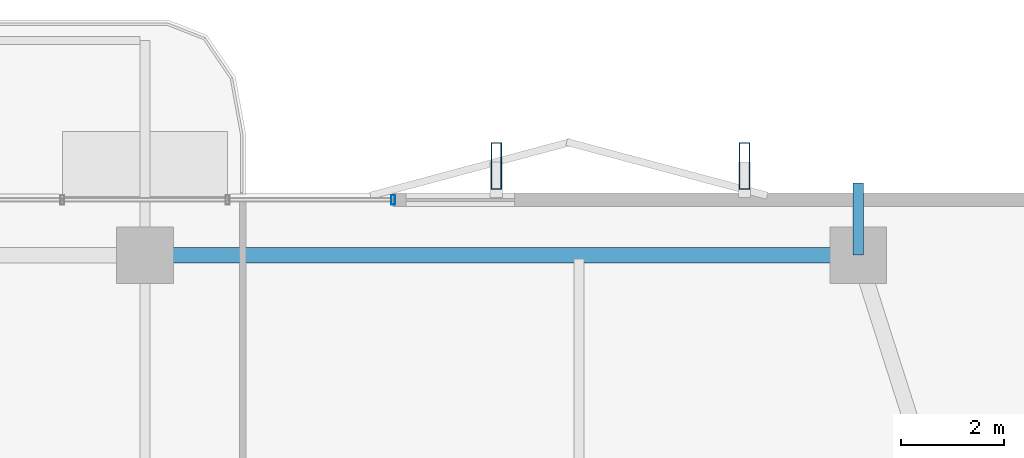
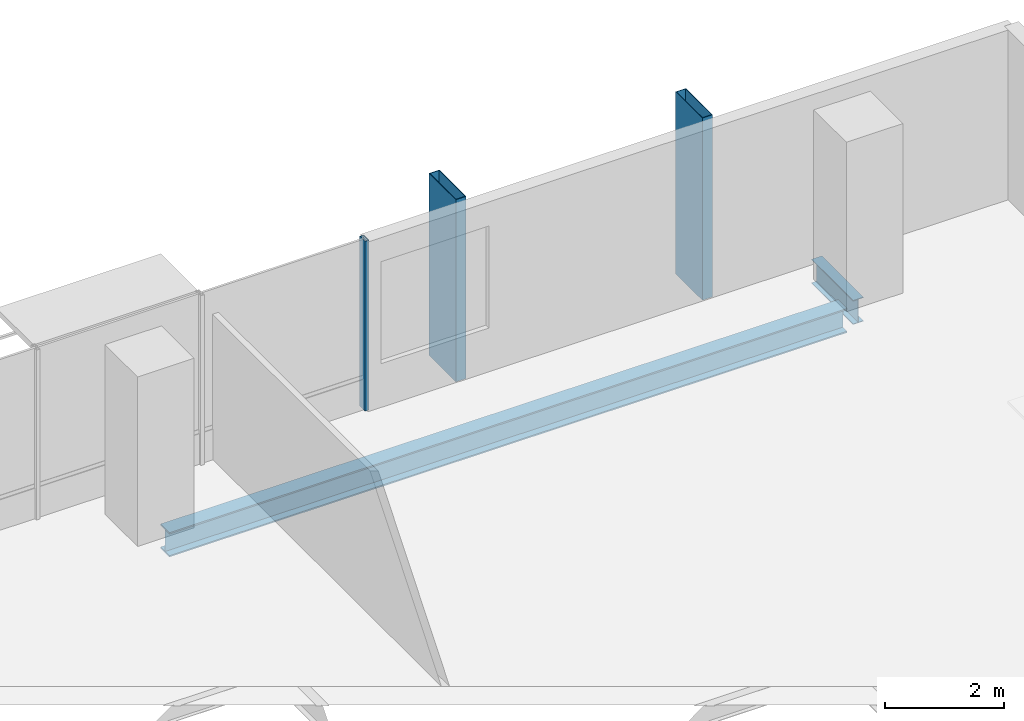
# One storey, part 16 of 25: 3 members, 2 beams, 1 element without a shape of its own.
"""IFC4 building model written with IfcOpenShell, lengths in metres."""

from ifc_helpers import new_model, si_unit, direction, frame, origin, origin_2d, place, context, subcontext, project, spatial, hollow_rectangle, i_section, extrude, material, layer, layer_set, material_profile, profile_set, type_object, element, aggregate, save


model = new_model("IFC4")

# Units and contexts
model_context = context("Model", 3, precision=1e-05, world=origin(), true_north=direction((0.0, 1.0)))
body_context = subcontext(model_context, "Body", "Model", "MODEL_VIEW")
ifc_project = project(units=[si_unit("LENGTHUNIT", "METRE"), si_unit("AREAUNIT", "SQUARE_METRE"), si_unit("VOLUMEUNIT", "CUBIC_METRE"), si_unit("PLANEANGLEUNIT", "RADIAN"), si_unit("MASSUNIT", "GRAM", prefix="KILO")], contexts=[model_context])

# Site, building, storey
site_placement = place(None, origin())
site = spatial("IfcSite", under=ifc_project, at=site_placement, CompositionType="ELEMENT")
building_placement = place(site_placement, origin())
building = spatial("IfcBuilding", under=site, at=building_placement, Name="Belovzor Exchange Tower", CompositionType="ELEMENT")
storey_placement = place(building_placement, frame((0.0, 0.0, 187.050048828125)))
storey = spatial("IfcBuildingStorey", under=building, at=storey_placement, Name="L46", CompositionType="ELEMENT", Elevation=187.050048828125)

# Beam
ifc_material_1 = material(Name="Steel S355", Category="steel")
ifc_material_profile_1 = material_profile(ifc_material_1, i_section(OverallWidth=0.199951171875, OverallDepth=0.5, WebThickness=0.01025390625, FlangeThickness=0.01611328125, at=origin_2d()))
ifc_profile_set_1 = profile_set([ifc_material_profile_1], Name="Steel S355")
beam_type_1 = type_object("IfcBeamType", Name="Planted Balcony Cantilever Beam IPE 500", PredefinedType="BEAM", material=ifc_profile_set_1)
beam_1_placement = place(storey_placement, frame((42.60009765625, 51.89990234375, -0.505126953125), z_axis=(0.0, 1.0, 0.0), x_axis=(-1.0, 0.0, 0.0)))
element("IfcBeam", 1, at=beam_1_placement, inside=storey, type_object=beam_type_1, Name="BC-500 Planted Balcony Cantilever Beam IPE 500", PredefinedType="BEAM", context=body_context, shape_type="SweptSolid", body=[
    extrude(i_section(OverallWidth=0.199951171875, OverallDepth=0.5, WebThickness=0.01025390625, FlangeThickness=0.01611328125, at=origin_2d()), origin(), (0.0, 0.0, 1.0), 1.400146484375),
])

# Members
ifc_material_2 = material(Name="Extruded Architectural Terracotta on Steel S355 Carrier", Category="masonry")
ifc_material_profile_2 = material_profile(ifc_material_2, hollow_rectangle(XDim=0.199951171875, YDim=0.89990234375, WallThickness=0.011962890625, at=origin_2d()))
ifc_profile_set_2 = profile_set([ifc_material_profile_2], Name="Extruded Architectural Terracotta on Steel S355 Carrier")
member_type_1 = type_object("IfcMemberType", Name="Sweeping Terracotta Baguette Fin Assembly 1250", PredefinedType="USERDEFINED", material=ifc_profile_set_2)
for number, where, z_axis, x_axis, name in (
    (2, (35.60009765625, 53.625, -0.255126953125), (0.0, 0.0, 1.0), (1.0, 0.0, 0.0), "FIN-TC125 Terracotta Facade Fin L46 N3"),
    (3, (40.39990234375, 53.625, -0.255126953125), (0.0, 0.0, 1.0), (1.0, 0.0, 0.0), "FIN-TC125 Terracotta Facade Fin L46 N4"),
):
    element("IfcMember", number, at=place(storey_placement, frame(where, z_axis=z_axis, x_axis=x_axis)), inside=storey, type_object=member_type_1, Name=name, ObjectType="FIN", PredefinedType="USERDEFINED", context=body_context, shape_type="SweptSolid", body=[
        extrude(hollow_rectangle(XDim=0.199951171875, YDim=0.89990234375, WallThickness=0.011962890625, at=origin_2d()), origin(), (0.0, 0.0, 1.0), 3.75),
    ])

# Curtain wall, member
ifc_material_3 = material(Name="Anodised Aluminium Framing", Category="aluminium")
ifc_layer = layer(ifc_material_3, 0.179931640625)
ifc_layer_set = layer_set([ifc_layer], Name="Anodised Aluminium Framing")
curtain_wall_type = type_object("IfcCurtainWallType", Name="Recessed Loggia Low-Iron Triple-Glazed Curtain Wall", PredefinedType="NOTDEFINED", material=ifc_layer_set)
curtain_wall_placement = place(storey_placement, origin())
curtain_wall = element("IfcCurtainWall", 4, at=curtain_wall_placement, inside=storey, type_object=curtain_wall_type, Name="CW3 Recessed Loggia Low-Iron Triple-Glazed Curtain Wall L46", PredefinedType="NOTDEFINED")
ifc_material_4 = material(Name="Steel S355", Category="steel")
ifc_material_profile_3 = material_profile(ifc_material_4, hollow_rectangle(XDim=0.074951171875, YDim=0.179931640625, WallThickness=0.0048828125, at=origin_2d()))
ifc_profile_set_3 = profile_set([ifc_material_profile_3], Name="Steel S355")
member_type_2 = type_object("IfcMemberType", Name="Thermally Broken Curtain Wall Mullion 180x75", PredefinedType="MULLION", material=ifc_profile_set_3)
member_placement = place(storey_placement, frame((33.60009765625, 52.969970703125, 0.0), z_axis=(0.0, 0.0, 1.0), x_axis=(1.0, 0.0, 0.0)))
member = element("IfcMember", 5, at=member_placement, type_object=member_type_2, Name="CW-M180 Curtain Wall Mullion 4", PredefinedType="MULLION", context=body_context, shape_type="SweptSolid", body=[
    extrude(hollow_rectangle(XDim=0.074951171875, YDim=0.179931640625, WallThickness=0.0048828125, at=origin_2d()), origin(), (0.0, 0.0, 1.0), 3.494873046875),
])
aggregate(curtain_wall, [member])

# Beam
ifc_material_5 = material(Name="Steel S355", Category="steel")
ifc_material_profile_4 = material_profile(ifc_material_5, i_section(OverallWidth=0.300048828125, OverallDepth=0.5, WebThickness=0.014404296875, FlangeThickness=0.028076171875, at=origin_2d()))
ifc_profile_set_4 = profile_set([ifc_material_profile_4], Name="Steel S355")
beam_type_2 = type_object("IfcBeamType", Name="Zone 3 Waist Primary Girder HEB 500", PredefinedType="BEAM", material=ifc_profile_set_4)
beam_2_placement = place(storey_placement, frame((42.297119140625, 51.89990234375, -0.505126953125), z_axis=(-1.0, 0.0, 0.0), x_axis=(0.0, -1.0, 0.0)))
element("IfcBeam", 6, at=beam_2_placement, inside=storey, type_object=beam_type_2, Name="FG-Z3 Zone 3 Waist Primary Girder HEB 500", PredefinedType="BEAM", context=body_context, shape_type="SweptSolid", body=[
    extrude(i_section(OverallWidth=0.300048828125, OverallDepth=0.5, WebThickness=0.014404296875, FlangeThickness=0.028076171875, at=origin_2d()), origin(), (0.0, 0.0, 1.0), 13.195068359375),
])

save(model, "model.ifc")
